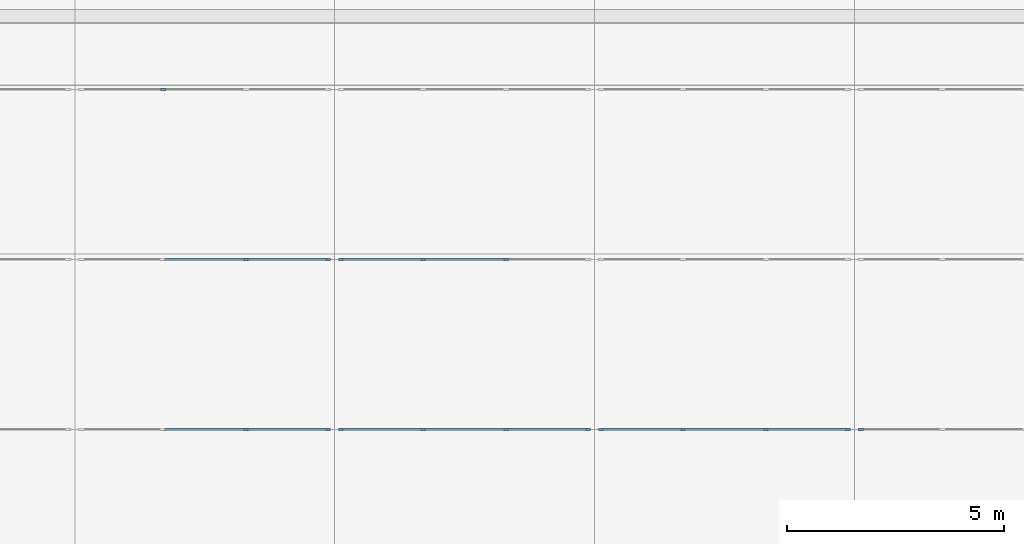
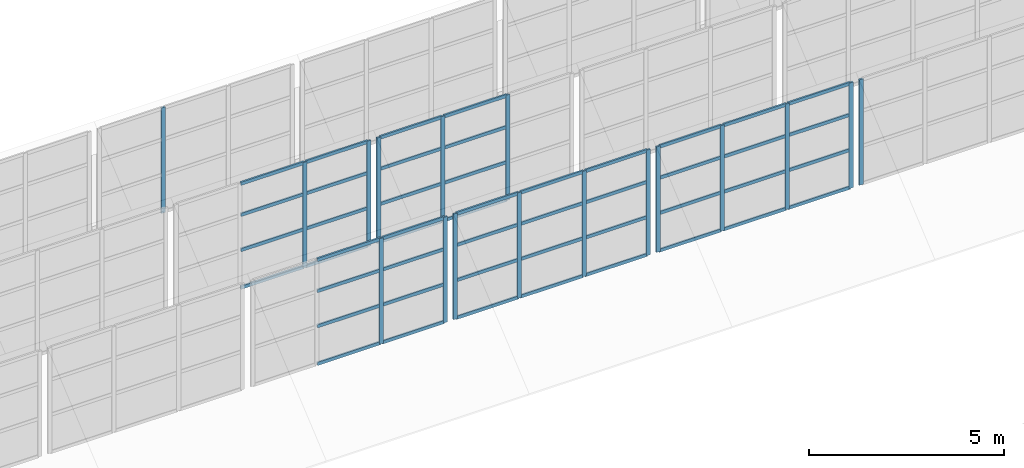
# One storey, part 31 of 122: 65 members, 7 elements without a shape of their own.
"""IFC4 building model written with IfcOpenShell, lengths in metres."""

from ifc_helpers import new_model, si_unit, direction, frame, origin, origin_2d, place, context, subcontext, project, spatial, rectangle, extrude, material, layer, layer_set, material_profile, profile_set, type_object, element, aggregate, save


model = new_model("IFC4")

# Units and contexts
model_context = context("Model", 3, precision=1e-05, world=origin(), true_north=direction((0.0, 1.0)))
body_context = subcontext(model_context, "Body", "Model", "MODEL_VIEW")
ifc_project = project(units=[si_unit("LENGTHUNIT", "METRE"), si_unit("AREAUNIT", "SQUARE_METRE"), si_unit("VOLUMEUNIT", "CUBIC_METRE"), si_unit("PLANEANGLEUNIT", "RADIAN"), si_unit("MASSUNIT", "GRAM", prefix="KILO")], contexts=[model_context])

# Site, building, storey
site_placement = place(None, origin())
site = spatial("IfcSite", under=ifc_project, at=site_placement, CompositionType="ELEMENT")
building_placement = place(site_placement, origin())
building = spatial("IfcBuilding", under=site, at=building_placement, Name="Ridgestep Commons", CompositionType="ELEMENT")
storey_placement = place(building_placement, frame((0.0, 0.0, 3.0)))
storey = spatial("IfcBuildingStorey", under=building, at=storey_placement, Name="L01", CompositionType="ELEMENT", Elevation=3.0)

# Curtain wall, members
ifc_material_1 = material(Name="Aluminium and glass", Category="aluminium")
ifc_layer = layer(ifc_material_1, 0.14990234375)
ifc_layer_set = layer_set([ifc_layer], Name="Shop clerestory curtain wall")
curtain_wall_type = type_object("IfcCurtainWallType", Name="Shop clerestory curtain wall", PredefinedType="NOTDEFINED", material=ifc_layer_set)
curtain_wall_1_placement = place(storey_placement, origin())
curtain_wall_1 = element("IfcCurtainWall", 1, at=curtain_wall_1_placement, inside=storey, type_object=curtain_wall_type, Name="Shop clerestory curtain wall", PredefinedType="NOTDEFINED")
ifc_material_2 = material(Name="Aluminium", Category="aluminium")
ifc_material_profile_1 = material_profile(ifc_material_2, rectangle(XDim=0.050048828125, YDim=0.1201171875, at=origin_2d()), Name="Shop clerestory mullion 50 x 120")
ifc_profile_set_1 = profile_set([ifc_material_profile_1], Name="Aluminium")
member_type_1 = type_object("IfcMemberType", Name="Shop clerestory mullion 50 x 120", PredefinedType="MULLION", material=ifc_profile_set_1)
member_1_placement = place(storey_placement, frame((209.75830078125, 38.050048828125, 1.199951171875), z_axis=(0.0, 0.0, 1.0), x_axis=(0.0, 1.0, 0.0)))
member_1 = element("IfcMember", 2, at=member_1_placement, type_object=member_type_1, Name="CW5 mullion 3", PredefinedType="MULLION", context=body_context, shape_type="SweptSolid", body=[
    extrude(rectangle(XDim=0.050048828125, YDim=0.1201171875, at=origin_2d()), origin(), (0.0, 0.0, 1.0), 3.300048828125),
])
member_2_placement = place(storey_placement, frame((211.64990234375, 38.050048828125, 1.199951171875), z_axis=(0.0, 0.0, 1.0), x_axis=(0.0, 1.0, 0.0)))
member_2 = element("IfcMember", 3, at=member_2_placement, type_object=member_type_1, Name="CW5 mullion 4", PredefinedType="MULLION", context=body_context, shape_type="SweptSolid", body=[
    extrude(rectangle(XDim=0.050048828125, YDim=0.1201171875, at=origin_2d()), origin(), (0.0, 0.0, 1.0), 3.300048828125),
])

curtain_wall_2_placement = place(storey_placement, origin())
curtain_wall_2 = element("IfcCurtainWall", 4, at=curtain_wall_2_placement, inside=storey, type_object=curtain_wall_type, Name="Shop clerestory curtain wall", PredefinedType="NOTDEFINED")
member_3_placement = place(storey_placement, frame((209.75830078125, 41.97509765625, 1.199951171875), z_axis=(0.0, 0.0, 1.0), x_axis=(0.0, 1.0, 0.0)))
member_3 = element("IfcMember", 5, at=member_3_placement, type_object=member_type_1, Name="CW5 mullion 3", PredefinedType="MULLION", context=body_context, shape_type="SweptSolid", body=[
    extrude(rectangle(XDim=0.050048828125, YDim=0.1201171875, at=origin_2d()), origin(), (0.0, 0.0, 1.0), 3.300048828125),
])
member_4_placement = place(storey_placement, frame((211.64990234375, 41.97509765625, 1.199951171875), z_axis=(0.0, 0.0, 1.0), x_axis=(0.0, 1.0, 0.0)))
member_4 = element("IfcMember", 6, at=member_4_placement, type_object=member_type_1, Name="CW5 mullion 4", PredefinedType="MULLION", context=body_context, shape_type="SweptSolid", body=[
    extrude(rectangle(XDim=0.050048828125, YDim=0.1201171875, at=origin_2d()), origin(), (0.0, 0.0, 1.0), 3.300048828125),
])

# Curtain wall, member
curtain_wall_3_placement = place(storey_placement, origin())
curtain_wall_3 = element("IfcCurtainWall", 7, at=curtain_wall_3_placement, inside=storey, type_object=curtain_wall_type, Name="Shop clerestory curtain wall", PredefinedType="NOTDEFINED")
member_5_placement = place(storey_placement, frame((207.841552734375, 45.89990234375, 1.199951171875), z_axis=(0.0, 0.0, 1.0), x_axis=(0.0, 1.0, 0.0)))
member_5 = element("IfcMember", 8, at=member_5_placement, type_object=member_type_1, Name="CW5 mullion 2", PredefinedType="MULLION", context=body_context, shape_type="SweptSolid", body=[
    extrude(rectangle(XDim=0.050048828125, YDim=0.1201171875, at=origin_2d()), origin(), (0.0, 0.0, 1.0), 3.300048828125),
])
aggregate(curtain_wall_3, [member_5])

# Curtain wall, members
curtain_wall_4_placement = place(storey_placement, origin())
curtain_wall_4 = element("IfcCurtainWall", 9, at=curtain_wall_4_placement, inside=storey, type_object=curtain_wall_type, Name="Shop clerestory curtain wall", PredefinedType="NOTDEFINED")
member_6_placement = place(storey_placement, frame((211.949951171875, 38.050048828125, 1.199951171875), z_axis=(0.0, 0.0, 1.0), x_axis=(0.0, 1.0, 0.0)))
member_6 = element("IfcMember", 10, at=member_6_placement, type_object=member_type_1, Name="CW5 mullion 1", PredefinedType="MULLION", context=body_context, shape_type="SweptSolid", body=[
    extrude(rectangle(XDim=0.050048828125, YDim=0.1201171875, at=origin_2d()), origin(), (0.0, 0.0, 1.0), 3.300048828125),
])
member_7_placement = place(storey_placement, frame((213.841552734375, 38.050048828125, 1.199951171875), z_axis=(0.0, 0.0, 1.0), x_axis=(0.0, 1.0, 0.0)))
member_7 = element("IfcMember", 11, at=member_7_placement, type_object=member_type_1, Name="CW5 mullion 2", PredefinedType="MULLION", context=body_context, shape_type="SweptSolid", body=[
    extrude(rectangle(XDim=0.050048828125, YDim=0.1201171875, at=origin_2d()), origin(), (0.0, 0.0, 1.0), 3.300048828125),
])
member_8_placement = place(storey_placement, frame((215.75830078125, 38.050048828125, 1.199951171875), z_axis=(0.0, 0.0, 1.0), x_axis=(0.0, 1.0, 0.0)))
member_8 = element("IfcMember", 12, at=member_8_placement, type_object=member_type_1, Name="CW5 mullion 3", PredefinedType="MULLION", context=body_context, shape_type="SweptSolid", body=[
    extrude(rectangle(XDim=0.050048828125, YDim=0.1201171875, at=origin_2d()), origin(), (0.0, 0.0, 1.0), 3.300048828125),
])
member_9_placement = place(storey_placement, frame((217.64990234375, 38.050048828125, 1.199951171875), z_axis=(0.0, 0.0, 1.0), x_axis=(0.0, 1.0, 0.0)))
member_9 = element("IfcMember", 13, at=member_9_placement, type_object=member_type_1, Name="CW5 mullion 4", PredefinedType="MULLION", context=body_context, shape_type="SweptSolid", body=[
    extrude(rectangle(XDim=0.050048828125, YDim=0.1201171875, at=origin_2d()), origin(), (0.0, 0.0, 1.0), 3.300048828125),
])

curtain_wall_5_placement = place(storey_placement, origin())
curtain_wall_5 = element("IfcCurtainWall", 14, at=curtain_wall_5_placement, inside=storey, type_object=curtain_wall_type, Name="Shop clerestory curtain wall", PredefinedType="NOTDEFINED")
member_10_placement = place(storey_placement, frame((211.949951171875, 41.97509765625, 1.199951171875), z_axis=(0.0, 0.0, 1.0), x_axis=(0.0, 1.0, 0.0)))
member_10 = element("IfcMember", 15, at=member_10_placement, type_object=member_type_1, Name="CW5 mullion 1", PredefinedType="MULLION", context=body_context, shape_type="SweptSolid", body=[
    extrude(rectangle(XDim=0.050048828125, YDim=0.1201171875, at=origin_2d()), origin(), (0.0, 0.0, 1.0), 3.300048828125),
])
member_11_placement = place(storey_placement, frame((213.841552734375, 41.97509765625, 1.199951171875), z_axis=(0.0, 0.0, 1.0), x_axis=(0.0, 1.0, 0.0)))
member_11 = element("IfcMember", 16, at=member_11_placement, type_object=member_type_1, Name="CW5 mullion 2", PredefinedType="MULLION", context=body_context, shape_type="SweptSolid", body=[
    extrude(rectangle(XDim=0.050048828125, YDim=0.1201171875, at=origin_2d()), origin(), (0.0, 0.0, 1.0), 3.300048828125),
])
member_12_placement = place(storey_placement, frame((215.75830078125, 41.97509765625, 1.199951171875), z_axis=(0.0, 0.0, 1.0), x_axis=(0.0, 1.0, 0.0)))
member_12 = element("IfcMember", 17, at=member_12_placement, type_object=member_type_1, Name="CW5 mullion 3", PredefinedType="MULLION", context=body_context, shape_type="SweptSolid", body=[
    extrude(rectangle(XDim=0.050048828125, YDim=0.1201171875, at=origin_2d()), origin(), (0.0, 0.0, 1.0), 3.300048828125),
])

curtain_wall_6_placement = place(storey_placement, origin())
curtain_wall_6 = element("IfcCurtainWall", 18, at=curtain_wall_6_placement, inside=storey, type_object=curtain_wall_type, Name="Shop clerestory curtain wall", PredefinedType="NOTDEFINED")
member_13_placement = place(storey_placement, frame((217.949951171875, 38.050048828125, 1.199951171875), z_axis=(0.0, 0.0, 1.0), x_axis=(0.0, 1.0, 0.0)))
member_13 = element("IfcMember", 19, at=member_13_placement, type_object=member_type_1, Name="CW5 mullion 1", PredefinedType="MULLION", context=body_context, shape_type="SweptSolid", body=[
    extrude(rectangle(XDim=0.050048828125, YDim=0.1201171875, at=origin_2d()), origin(), (0.0, 0.0, 1.0), 3.300048828125),
])
member_14_placement = place(storey_placement, frame((219.841552734375, 38.050048828125, 1.199951171875), z_axis=(0.0, 0.0, 1.0), x_axis=(0.0, 1.0, 0.0)))
member_14 = element("IfcMember", 20, at=member_14_placement, type_object=member_type_1, Name="CW5 mullion 2", PredefinedType="MULLION", context=body_context, shape_type="SweptSolid", body=[
    extrude(rectangle(XDim=0.050048828125, YDim=0.1201171875, at=origin_2d()), origin(), (0.0, 0.0, 1.0), 3.300048828125),
])
member_15_placement = place(storey_placement, frame((221.75830078125, 38.050048828125, 1.199951171875), z_axis=(0.0, 0.0, 1.0), x_axis=(0.0, 1.0, 0.0)))
member_15 = element("IfcMember", 21, at=member_15_placement, type_object=member_type_1, Name="CW5 mullion 3", PredefinedType="MULLION", context=body_context, shape_type="SweptSolid", body=[
    extrude(rectangle(XDim=0.050048828125, YDim=0.1201171875, at=origin_2d()), origin(), (0.0, 0.0, 1.0), 3.300048828125),
])
member_16_placement = place(storey_placement, frame((223.64990234375, 38.050048828125, 1.199951171875), z_axis=(0.0, 0.0, 1.0), x_axis=(0.0, 1.0, 0.0)))
member_16 = element("IfcMember", 22, at=member_16_placement, type_object=member_type_1, Name="CW5 mullion 4", PredefinedType="MULLION", context=body_context, shape_type="SweptSolid", body=[
    extrude(rectangle(XDim=0.050048828125, YDim=0.1201171875, at=origin_2d()), origin(), (0.0, 0.0, 1.0), 3.300048828125),
])

# Curtain wall, member
curtain_wall_7_placement = place(storey_placement, origin())
curtain_wall_7 = element("IfcCurtainWall", 23, at=curtain_wall_7_placement, inside=storey, type_object=curtain_wall_type, Name="Shop clerestory curtain wall", PredefinedType="NOTDEFINED")
member_17_placement = place(storey_placement, frame((223.949951171875, 38.050048828125, 1.199951171875), z_axis=(0.0, 0.0, 1.0), x_axis=(0.0, 1.0, 0.0)))
member_17 = element("IfcMember", 24, at=member_17_placement, type_object=member_type_1, Name="CW5 mullion 1", PredefinedType="MULLION", context=body_context, shape_type="SweptSolid", body=[
    extrude(rectangle(XDim=0.050048828125, YDim=0.1201171875, at=origin_2d()), origin(), (0.0, 0.0, 1.0), 3.300048828125),
])
aggregate(curtain_wall_7, [member_17])

# Member
ifc_material_3 = material(Name="Aluminium", Category="aluminium")
ifc_material_profile_2 = material_profile(ifc_material_3, rectangle(XDim=0.050048828125, YDim=0.10009765625, at=origin_2d()), Name="Shop clerestory transom 50 x 100")
ifc_profile_set_2 = profile_set([ifc_material_profile_2], Name="Aluminium")
member_type_2 = type_object("IfcMemberType", Name="Shop clerestory transom 50 x 100", PredefinedType="USERDEFINED", material=ifc_profile_set_2)
member_18_placement = place(storey_placement, frame((207.86669921875, 38.050048828125, 1.22509765625), z_axis=(1.0, 0.0, 0.0), x_axis=(0.0, 1.0, 0.0)))
member_18 = element("IfcMember", 25, at=member_18_placement, type_object=member_type_2, Name="CW5 transom 2.1", ObjectType="TRANSOM", PredefinedType="USERDEFINED", context=body_context, shape_type="SweptSolid", body=[
    extrude(rectangle(XDim=0.050048828125, YDim=0.10009765625, at=origin_2d()), origin(), (0.0, 0.0, 1.0), 1.86669921875),
])

member_19_placement = place(storey_placement, frame((207.86669921875, 38.050048828125, 2.39990234375), z_axis=(1.0, 0.0, 0.0), x_axis=(0.0, 1.0, 0.0)))
member_19 = element("IfcMember", 26, at=member_19_placement, type_object=member_type_2, Name="CW5 transom 2.2", ObjectType="TRANSOM", PredefinedType="USERDEFINED", context=body_context, shape_type="SweptSolid", body=[
    extrude(rectangle(XDim=0.050048828125, YDim=0.10009765625, at=origin_2d()), origin(), (0.0, 0.0, 1.0), 1.86669921875),
])

member_20_placement = place(storey_placement, frame((207.86669921875, 38.050048828125, 3.5), z_axis=(1.0, 0.0, 0.0), x_axis=(0.0, 1.0, 0.0)))
member_20 = element("IfcMember", 27, at=member_20_placement, type_object=member_type_2, Name="CW5 transom 2.3", ObjectType="TRANSOM", PredefinedType="USERDEFINED", context=body_context, shape_type="SweptSolid", body=[
    extrude(rectangle(XDim=0.050048828125, YDim=0.10009765625, at=origin_2d()), origin(), (0.0, 0.0, 1.0), 1.86669921875),
])

member_21_placement = place(storey_placement, frame((207.86669921875, 38.050048828125, 4.47509765625), z_axis=(1.0, 0.0, 0.0), x_axis=(0.0, 1.0, 0.0)))
member_21 = element("IfcMember", 28, at=member_21_placement, type_object=member_type_2, Name="CW5 transom 2.4", ObjectType="TRANSOM", PredefinedType="USERDEFINED", context=body_context, shape_type="SweptSolid", body=[
    extrude(rectangle(XDim=0.050048828125, YDim=0.10009765625, at=origin_2d()), origin(), (0.0, 0.0, 1.0), 1.86669921875),
])

member_22_placement = place(storey_placement, frame((209.783447265625, 38.050048828125, 1.22509765625), z_axis=(1.0, 0.0, 0.0), x_axis=(0.0, 1.0, 0.0)))
member_22 = element("IfcMember", 29, at=member_22_placement, type_object=member_type_2, Name="CW5 transom 3.1", ObjectType="TRANSOM", PredefinedType="USERDEFINED", context=body_context, shape_type="SweptSolid", body=[
    extrude(rectangle(XDim=0.050048828125, YDim=0.10009765625, at=origin_2d()), origin(), (0.0, 0.0, 1.0), 1.841552734375),
])

member_23_placement = place(storey_placement, frame((209.783447265625, 38.050048828125, 2.39990234375), z_axis=(1.0, 0.0, 0.0), x_axis=(0.0, 1.0, 0.0)))
member_23 = element("IfcMember", 30, at=member_23_placement, type_object=member_type_2, Name="CW5 transom 3.2", ObjectType="TRANSOM", PredefinedType="USERDEFINED", context=body_context, shape_type="SweptSolid", body=[
    extrude(rectangle(XDim=0.050048828125, YDim=0.10009765625, at=origin_2d()), origin(), (0.0, 0.0, 1.0), 1.841552734375),
])

member_24_placement = place(storey_placement, frame((209.783447265625, 38.050048828125, 3.5), z_axis=(1.0, 0.0, 0.0), x_axis=(0.0, 1.0, 0.0)))
member_24 = element("IfcMember", 31, at=member_24_placement, type_object=member_type_2, Name="CW5 transom 3.3", ObjectType="TRANSOM", PredefinedType="USERDEFINED", context=body_context, shape_type="SweptSolid", body=[
    extrude(rectangle(XDim=0.050048828125, YDim=0.10009765625, at=origin_2d()), origin(), (0.0, 0.0, 1.0), 1.841552734375),
])

member_25_placement = place(storey_placement, frame((209.783447265625, 38.050048828125, 4.47509765625), z_axis=(1.0, 0.0, 0.0), x_axis=(0.0, 1.0, 0.0)))
member_25 = element("IfcMember", 32, at=member_25_placement, type_object=member_type_2, Name="CW5 transom 3.4", ObjectType="TRANSOM", PredefinedType="USERDEFINED", context=body_context, shape_type="SweptSolid", body=[
    extrude(rectangle(XDim=0.050048828125, YDim=0.10009765625, at=origin_2d()), origin(), (0.0, 0.0, 1.0), 1.841552734375),
])

aggregate(curtain_wall_1, [member_1, member_2, member_18, member_19, member_20, member_21, member_22, member_23, member_24, member_25])

member_26_placement = place(storey_placement, frame((207.86669921875, 41.97509765625, 1.22509765625), z_axis=(1.0, 0.0, 0.0), x_axis=(0.0, 1.0, 0.0)))
member_26 = element("IfcMember", 33, at=member_26_placement, type_object=member_type_2, Name="CW5 transom 2.1", ObjectType="TRANSOM", PredefinedType="USERDEFINED", context=body_context, shape_type="SweptSolid", body=[
    extrude(rectangle(XDim=0.050048828125, YDim=0.10009765625, at=origin_2d()), origin(), (0.0, 0.0, 1.0), 1.86669921875),
])

member_27_placement = place(storey_placement, frame((207.86669921875, 41.97509765625, 2.39990234375), z_axis=(1.0, 0.0, 0.0), x_axis=(0.0, 1.0, 0.0)))
member_27 = element("IfcMember", 34, at=member_27_placement, type_object=member_type_2, Name="CW5 transom 2.2", ObjectType="TRANSOM", PredefinedType="USERDEFINED", context=body_context, shape_type="SweptSolid", body=[
    extrude(rectangle(XDim=0.050048828125, YDim=0.10009765625, at=origin_2d()), origin(), (0.0, 0.0, 1.0), 1.86669921875),
])

member_28_placement = place(storey_placement, frame((207.86669921875, 41.97509765625, 3.5), z_axis=(1.0, 0.0, 0.0), x_axis=(0.0, 1.0, 0.0)))
member_28 = element("IfcMember", 35, at=member_28_placement, type_object=member_type_2, Name="CW5 transom 2.3", ObjectType="TRANSOM", PredefinedType="USERDEFINED", context=body_context, shape_type="SweptSolid", body=[
    extrude(rectangle(XDim=0.050048828125, YDim=0.10009765625, at=origin_2d()), origin(), (0.0, 0.0, 1.0), 1.86669921875),
])

member_29_placement = place(storey_placement, frame((207.86669921875, 41.97509765625, 4.47509765625), z_axis=(1.0, 0.0, 0.0), x_axis=(0.0, 1.0, 0.0)))
member_29 = element("IfcMember", 36, at=member_29_placement, type_object=member_type_2, Name="CW5 transom 2.4", ObjectType="TRANSOM", PredefinedType="USERDEFINED", context=body_context, shape_type="SweptSolid", body=[
    extrude(rectangle(XDim=0.050048828125, YDim=0.10009765625, at=origin_2d()), origin(), (0.0, 0.0, 1.0), 1.86669921875),
])

member_30_placement = place(storey_placement, frame((209.783447265625, 41.97509765625, 1.22509765625), z_axis=(1.0, 0.0, 0.0), x_axis=(0.0, 1.0, 0.0)))
member_30 = element("IfcMember", 37, at=member_30_placement, type_object=member_type_2, Name="CW5 transom 3.1", ObjectType="TRANSOM", PredefinedType="USERDEFINED", context=body_context, shape_type="SweptSolid", body=[
    extrude(rectangle(XDim=0.050048828125, YDim=0.10009765625, at=origin_2d()), origin(), (0.0, 0.0, 1.0), 1.841552734375),
])

member_31_placement = place(storey_placement, frame((209.783447265625, 41.97509765625, 2.39990234375), z_axis=(1.0, 0.0, 0.0), x_axis=(0.0, 1.0, 0.0)))
member_31 = element("IfcMember", 38, at=member_31_placement, type_object=member_type_2, Name="CW5 transom 3.2", ObjectType="TRANSOM", PredefinedType="USERDEFINED", context=body_context, shape_type="SweptSolid", body=[
    extrude(rectangle(XDim=0.050048828125, YDim=0.10009765625, at=origin_2d()), origin(), (0.0, 0.0, 1.0), 1.841552734375),
])

member_32_placement = place(storey_placement, frame((209.783447265625, 41.97509765625, 3.5), z_axis=(1.0, 0.0, 0.0), x_axis=(0.0, 1.0, 0.0)))
member_32 = element("IfcMember", 39, at=member_32_placement, type_object=member_type_2, Name="CW5 transom 3.3", ObjectType="TRANSOM", PredefinedType="USERDEFINED", context=body_context, shape_type="SweptSolid", body=[
    extrude(rectangle(XDim=0.050048828125, YDim=0.10009765625, at=origin_2d()), origin(), (0.0, 0.0, 1.0), 1.841552734375),
])

member_33_placement = place(storey_placement, frame((209.783447265625, 41.97509765625, 4.47509765625), z_axis=(1.0, 0.0, 0.0), x_axis=(0.0, 1.0, 0.0)))
member_33 = element("IfcMember", 40, at=member_33_placement, type_object=member_type_2, Name="CW5 transom 3.4", ObjectType="TRANSOM", PredefinedType="USERDEFINED", context=body_context, shape_type="SweptSolid", body=[
    extrude(rectangle(XDim=0.050048828125, YDim=0.10009765625, at=origin_2d()), origin(), (0.0, 0.0, 1.0), 1.841552734375),
])

aggregate(curtain_wall_2, [member_3, member_4, member_26, member_27, member_28, member_29, member_30, member_31, member_32, member_33])

member_34_placement = place(storey_placement, frame((211.97509765625, 38.050048828125, 1.22509765625), z_axis=(1.0, 0.0, 0.0), x_axis=(0.0, 1.0, 0.0)))
member_34 = element("IfcMember", 41, at=member_34_placement, type_object=member_type_2, Name="CW5 transom 1.1", ObjectType="TRANSOM", PredefinedType="USERDEFINED", context=body_context, shape_type="SweptSolid", body=[
    extrude(rectangle(XDim=0.050048828125, YDim=0.10009765625, at=origin_2d()), origin(), (0.0, 0.0, 1.0), 1.841552734375),
])

member_35_placement = place(storey_placement, frame((211.97509765625, 38.050048828125, 2.39990234375), z_axis=(1.0, 0.0, 0.0), x_axis=(0.0, 1.0, 0.0)))
member_35 = element("IfcMember", 42, at=member_35_placement, type_object=member_type_2, Name="CW5 transom 1.2", ObjectType="TRANSOM", PredefinedType="USERDEFINED", context=body_context, shape_type="SweptSolid", body=[
    extrude(rectangle(XDim=0.050048828125, YDim=0.10009765625, at=origin_2d()), origin(), (0.0, 0.0, 1.0), 1.841552734375),
])

member_36_placement = place(storey_placement, frame((211.97509765625, 38.050048828125, 3.5), z_axis=(1.0, 0.0, 0.0), x_axis=(0.0, 1.0, 0.0)))
member_36 = element("IfcMember", 43, at=member_36_placement, type_object=member_type_2, Name="CW5 transom 1.3", ObjectType="TRANSOM", PredefinedType="USERDEFINED", context=body_context, shape_type="SweptSolid", body=[
    extrude(rectangle(XDim=0.050048828125, YDim=0.10009765625, at=origin_2d()), origin(), (0.0, 0.0, 1.0), 1.841552734375),
])

member_37_placement = place(storey_placement, frame((211.97509765625, 38.050048828125, 4.47509765625), z_axis=(1.0, 0.0, 0.0), x_axis=(0.0, 1.0, 0.0)))
member_37 = element("IfcMember", 44, at=member_37_placement, type_object=member_type_2, Name="CW5 transom 1.4", ObjectType="TRANSOM", PredefinedType="USERDEFINED", context=body_context, shape_type="SweptSolid", body=[
    extrude(rectangle(XDim=0.050048828125, YDim=0.10009765625, at=origin_2d()), origin(), (0.0, 0.0, 1.0), 1.841552734375),
])

member_38_placement = place(storey_placement, frame((213.86669921875, 38.050048828125, 1.22509765625), z_axis=(1.0, 0.0, 0.0), x_axis=(0.0, 1.0, 0.0)))
member_38 = element("IfcMember", 45, at=member_38_placement, type_object=member_type_2, Name="CW5 transom 2.1", ObjectType="TRANSOM", PredefinedType="USERDEFINED", context=body_context, shape_type="SweptSolid", body=[
    extrude(rectangle(XDim=0.050048828125, YDim=0.10009765625, at=origin_2d()), origin(), (0.0, 0.0, 1.0), 1.86669921875),
])

member_39_placement = place(storey_placement, frame((213.86669921875, 38.050048828125, 2.39990234375), z_axis=(1.0, 0.0, 0.0), x_axis=(0.0, 1.0, 0.0)))
member_39 = element("IfcMember", 46, at=member_39_placement, type_object=member_type_2, Name="CW5 transom 2.2", ObjectType="TRANSOM", PredefinedType="USERDEFINED", context=body_context, shape_type="SweptSolid", body=[
    extrude(rectangle(XDim=0.050048828125, YDim=0.10009765625, at=origin_2d()), origin(), (0.0, 0.0, 1.0), 1.86669921875),
])

member_40_placement = place(storey_placement, frame((213.86669921875, 38.050048828125, 3.5), z_axis=(1.0, 0.0, 0.0), x_axis=(0.0, 1.0, 0.0)))
member_40 = element("IfcMember", 47, at=member_40_placement, type_object=member_type_2, Name="CW5 transom 2.3", ObjectType="TRANSOM", PredefinedType="USERDEFINED", context=body_context, shape_type="SweptSolid", body=[
    extrude(rectangle(XDim=0.050048828125, YDim=0.10009765625, at=origin_2d()), origin(), (0.0, 0.0, 1.0), 1.86669921875),
])

member_41_placement = place(storey_placement, frame((213.86669921875, 38.050048828125, 4.47509765625), z_axis=(1.0, 0.0, 0.0), x_axis=(0.0, 1.0, 0.0)))
member_41 = element("IfcMember", 48, at=member_41_placement, type_object=member_type_2, Name="CW5 transom 2.4", ObjectType="TRANSOM", PredefinedType="USERDEFINED", context=body_context, shape_type="SweptSolid", body=[
    extrude(rectangle(XDim=0.050048828125, YDim=0.10009765625, at=origin_2d()), origin(), (0.0, 0.0, 1.0), 1.86669921875),
])

member_42_placement = place(storey_placement, frame((215.783447265625, 38.050048828125, 1.22509765625), z_axis=(1.0, 0.0, 0.0), x_axis=(0.0, 1.0, 0.0)))
member_42 = element("IfcMember", 49, at=member_42_placement, type_object=member_type_2, Name="CW5 transom 3.1", ObjectType="TRANSOM", PredefinedType="USERDEFINED", context=body_context, shape_type="SweptSolid", body=[
    extrude(rectangle(XDim=0.050048828125, YDim=0.10009765625, at=origin_2d()), origin(), (0.0, 0.0, 1.0), 1.841552734375),
])

member_43_placement = place(storey_placement, frame((215.783447265625, 38.050048828125, 2.39990234375), z_axis=(1.0, 0.0, 0.0), x_axis=(0.0, 1.0, 0.0)))
member_43 = element("IfcMember", 50, at=member_43_placement, type_object=member_type_2, Name="CW5 transom 3.2", ObjectType="TRANSOM", PredefinedType="USERDEFINED", context=body_context, shape_type="SweptSolid", body=[
    extrude(rectangle(XDim=0.050048828125, YDim=0.10009765625, at=origin_2d()), origin(), (0.0, 0.0, 1.0), 1.841552734375),
])

member_44_placement = place(storey_placement, frame((215.783447265625, 38.050048828125, 3.5), z_axis=(1.0, 0.0, 0.0), x_axis=(0.0, 1.0, 0.0)))
member_44 = element("IfcMember", 51, at=member_44_placement, type_object=member_type_2, Name="CW5 transom 3.3", ObjectType="TRANSOM", PredefinedType="USERDEFINED", context=body_context, shape_type="SweptSolid", body=[
    extrude(rectangle(XDim=0.050048828125, YDim=0.10009765625, at=origin_2d()), origin(), (0.0, 0.0, 1.0), 1.841552734375),
])

member_45_placement = place(storey_placement, frame((215.783447265625, 38.050048828125, 4.47509765625), z_axis=(1.0, 0.0, 0.0), x_axis=(0.0, 1.0, 0.0)))
member_45 = element("IfcMember", 52, at=member_45_placement, type_object=member_type_2, Name="CW5 transom 3.4", ObjectType="TRANSOM", PredefinedType="USERDEFINED", context=body_context, shape_type="SweptSolid", body=[
    extrude(rectangle(XDim=0.050048828125, YDim=0.10009765625, at=origin_2d()), origin(), (0.0, 0.0, 1.0), 1.841552734375),
])

aggregate(curtain_wall_4, [member_6, member_7, member_8, member_9, member_34, member_35, member_36, member_37, member_38, member_39, member_40, member_41, member_42, member_43, member_44, member_45])

member_46_placement = place(storey_placement, frame((211.97509765625, 41.97509765625, 1.22509765625), z_axis=(1.0, 0.0, 0.0), x_axis=(0.0, 1.0, 0.0)))
member_46 = element("IfcMember", 53, at=member_46_placement, type_object=member_type_2, Name="CW5 transom 1.1", ObjectType="TRANSOM", PredefinedType="USERDEFINED", context=body_context, shape_type="SweptSolid", body=[
    extrude(rectangle(XDim=0.050048828125, YDim=0.10009765625, at=origin_2d()), origin(), (0.0, 0.0, 1.0), 1.841552734375),
])

member_47_placement = place(storey_placement, frame((211.97509765625, 41.97509765625, 2.39990234375), z_axis=(1.0, 0.0, 0.0), x_axis=(0.0, 1.0, 0.0)))
member_47 = element("IfcMember", 54, at=member_47_placement, type_object=member_type_2, Name="CW5 transom 1.2", ObjectType="TRANSOM", PredefinedType="USERDEFINED", context=body_context, shape_type="SweptSolid", body=[
    extrude(rectangle(XDim=0.050048828125, YDim=0.10009765625, at=origin_2d()), origin(), (0.0, 0.0, 1.0), 1.841552734375),
])

member_48_placement = place(storey_placement, frame((211.97509765625, 41.97509765625, 3.5), z_axis=(1.0, 0.0, 0.0), x_axis=(0.0, 1.0, 0.0)))
member_48 = element("IfcMember", 55, at=member_48_placement, type_object=member_type_2, Name="CW5 transom 1.3", ObjectType="TRANSOM", PredefinedType="USERDEFINED", context=body_context, shape_type="SweptSolid", body=[
    extrude(rectangle(XDim=0.050048828125, YDim=0.10009765625, at=origin_2d()), origin(), (0.0, 0.0, 1.0), 1.841552734375),
])

member_49_placement = place(storey_placement, frame((211.97509765625, 41.97509765625, 4.47509765625), z_axis=(1.0, 0.0, 0.0), x_axis=(0.0, 1.0, 0.0)))
member_49 = element("IfcMember", 56, at=member_49_placement, type_object=member_type_2, Name="CW5 transom 1.4", ObjectType="TRANSOM", PredefinedType="USERDEFINED", context=body_context, shape_type="SweptSolid", body=[
    extrude(rectangle(XDim=0.050048828125, YDim=0.10009765625, at=origin_2d()), origin(), (0.0, 0.0, 1.0), 1.841552734375),
])

member_50_placement = place(storey_placement, frame((213.86669921875, 41.97509765625, 1.22509765625), z_axis=(1.0, 0.0, 0.0), x_axis=(0.0, 1.0, 0.0)))
member_50 = element("IfcMember", 57, at=member_50_placement, type_object=member_type_2, Name="CW5 transom 2.1", ObjectType="TRANSOM", PredefinedType="USERDEFINED", context=body_context, shape_type="SweptSolid", body=[
    extrude(rectangle(XDim=0.050048828125, YDim=0.10009765625, at=origin_2d()), origin(), (0.0, 0.0, 1.0), 1.86669921875),
])

member_51_placement = place(storey_placement, frame((213.86669921875, 41.97509765625, 2.39990234375), z_axis=(1.0, 0.0, 0.0), x_axis=(0.0, 1.0, 0.0)))
member_51 = element("IfcMember", 58, at=member_51_placement, type_object=member_type_2, Name="CW5 transom 2.2", ObjectType="TRANSOM", PredefinedType="USERDEFINED", context=body_context, shape_type="SweptSolid", body=[
    extrude(rectangle(XDim=0.050048828125, YDim=0.10009765625, at=origin_2d()), origin(), (0.0, 0.0, 1.0), 1.86669921875),
])

member_52_placement = place(storey_placement, frame((213.86669921875, 41.97509765625, 3.5), z_axis=(1.0, 0.0, 0.0), x_axis=(0.0, 1.0, 0.0)))
member_52 = element("IfcMember", 59, at=member_52_placement, type_object=member_type_2, Name="CW5 transom 2.3", ObjectType="TRANSOM", PredefinedType="USERDEFINED", context=body_context, shape_type="SweptSolid", body=[
    extrude(rectangle(XDim=0.050048828125, YDim=0.10009765625, at=origin_2d()), origin(), (0.0, 0.0, 1.0), 1.86669921875),
])

member_53_placement = place(storey_placement, frame((213.86669921875, 41.97509765625, 4.47509765625), z_axis=(1.0, 0.0, 0.0), x_axis=(0.0, 1.0, 0.0)))
member_53 = element("IfcMember", 60, at=member_53_placement, type_object=member_type_2, Name="CW5 transom 2.4", ObjectType="TRANSOM", PredefinedType="USERDEFINED", context=body_context, shape_type="SweptSolid", body=[
    extrude(rectangle(XDim=0.050048828125, YDim=0.10009765625, at=origin_2d()), origin(), (0.0, 0.0, 1.0), 1.86669921875),
])

aggregate(curtain_wall_5, [member_10, member_11, member_12, member_46, member_47, member_48, member_49, member_50, member_51, member_52, member_53])

member_54_placement = place(storey_placement, frame((217.97509765625, 38.050048828125, 1.22509765625), z_axis=(1.0, 0.0, 0.0), x_axis=(0.0, 1.0, 0.0)))
member_54 = element("IfcMember", 61, at=member_54_placement, type_object=member_type_2, Name="CW5 transom 1.1", ObjectType="TRANSOM", PredefinedType="USERDEFINED", context=body_context, shape_type="SweptSolid", body=[
    extrude(rectangle(XDim=0.050048828125, YDim=0.10009765625, at=origin_2d()), origin(), (0.0, 0.0, 1.0), 1.841552734375),
])

member_55_placement = place(storey_placement, frame((217.97509765625, 38.050048828125, 2.39990234375), z_axis=(1.0, 0.0, 0.0), x_axis=(0.0, 1.0, 0.0)))
member_55 = element("IfcMember", 62, at=member_55_placement, type_object=member_type_2, Name="CW5 transom 1.2", ObjectType="TRANSOM", PredefinedType="USERDEFINED", context=body_context, shape_type="SweptSolid", body=[
    extrude(rectangle(XDim=0.050048828125, YDim=0.10009765625, at=origin_2d()), origin(), (0.0, 0.0, 1.0), 1.841552734375),
])

member_56_placement = place(storey_placement, frame((217.97509765625, 38.050048828125, 3.5), z_axis=(1.0, 0.0, 0.0), x_axis=(0.0, 1.0, 0.0)))
member_56 = element("IfcMember", 63, at=member_56_placement, type_object=member_type_2, Name="CW5 transom 1.3", ObjectType="TRANSOM", PredefinedType="USERDEFINED", context=body_context, shape_type="SweptSolid", body=[
    extrude(rectangle(XDim=0.050048828125, YDim=0.10009765625, at=origin_2d()), origin(), (0.0, 0.0, 1.0), 1.841552734375),
])

member_57_placement = place(storey_placement, frame((217.97509765625, 38.050048828125, 4.47509765625), z_axis=(1.0, 0.0, 0.0), x_axis=(0.0, 1.0, 0.0)))
member_57 = element("IfcMember", 64, at=member_57_placement, type_object=member_type_2, Name="CW5 transom 1.4", ObjectType="TRANSOM", PredefinedType="USERDEFINED", context=body_context, shape_type="SweptSolid", body=[
    extrude(rectangle(XDim=0.050048828125, YDim=0.10009765625, at=origin_2d()), origin(), (0.0, 0.0, 1.0), 1.841552734375),
])

member_58_placement = place(storey_placement, frame((219.86669921875, 38.050048828125, 1.22509765625), z_axis=(1.0, 0.0, 0.0), x_axis=(0.0, 1.0, 0.0)))
member_58 = element("IfcMember", 65, at=member_58_placement, type_object=member_type_2, Name="CW5 transom 2.1", ObjectType="TRANSOM", PredefinedType="USERDEFINED", context=body_context, shape_type="SweptSolid", body=[
    extrude(rectangle(XDim=0.050048828125, YDim=0.10009765625, at=origin_2d()), origin(), (0.0, 0.0, 1.0), 1.86669921875),
])

member_59_placement = place(storey_placement, frame((219.86669921875, 38.050048828125, 2.39990234375), z_axis=(1.0, 0.0, 0.0), x_axis=(0.0, 1.0, 0.0)))
member_59 = element("IfcMember", 66, at=member_59_placement, type_object=member_type_2, Name="CW5 transom 2.2", ObjectType="TRANSOM", PredefinedType="USERDEFINED", context=body_context, shape_type="SweptSolid", body=[
    extrude(rectangle(XDim=0.050048828125, YDim=0.10009765625, at=origin_2d()), origin(), (0.0, 0.0, 1.0), 1.86669921875),
])

member_60_placement = place(storey_placement, frame((219.86669921875, 38.050048828125, 3.5), z_axis=(1.0, 0.0, 0.0), x_axis=(0.0, 1.0, 0.0)))
member_60 = element("IfcMember", 67, at=member_60_placement, type_object=member_type_2, Name="CW5 transom 2.3", ObjectType="TRANSOM", PredefinedType="USERDEFINED", context=body_context, shape_type="SweptSolid", body=[
    extrude(rectangle(XDim=0.050048828125, YDim=0.10009765625, at=origin_2d()), origin(), (0.0, 0.0, 1.0), 1.86669921875),
])

member_61_placement = place(storey_placement, frame((219.86669921875, 38.050048828125, 4.47509765625), z_axis=(1.0, 0.0, 0.0), x_axis=(0.0, 1.0, 0.0)))
member_61 = element("IfcMember", 68, at=member_61_placement, type_object=member_type_2, Name="CW5 transom 2.4", ObjectType="TRANSOM", PredefinedType="USERDEFINED", context=body_context, shape_type="SweptSolid", body=[
    extrude(rectangle(XDim=0.050048828125, YDim=0.10009765625, at=origin_2d()), origin(), (0.0, 0.0, 1.0), 1.86669921875),
])

member_62_placement = place(storey_placement, frame((221.783447265625, 38.050048828125, 1.22509765625), z_axis=(1.0, 0.0, 0.0), x_axis=(0.0, 1.0, 0.0)))
member_62 = element("IfcMember", 69, at=member_62_placement, type_object=member_type_2, Name="CW5 transom 3.1", ObjectType="TRANSOM", PredefinedType="USERDEFINED", context=body_context, shape_type="SweptSolid", body=[
    extrude(rectangle(XDim=0.050048828125, YDim=0.10009765625, at=origin_2d()), origin(), (0.0, 0.0, 1.0), 1.841552734375),
])

member_63_placement = place(storey_placement, frame((221.783447265625, 38.050048828125, 2.39990234375), z_axis=(1.0, 0.0, 0.0), x_axis=(0.0, 1.0, 0.0)))
member_63 = element("IfcMember", 70, at=member_63_placement, type_object=member_type_2, Name="CW5 transom 3.2", ObjectType="TRANSOM", PredefinedType="USERDEFINED", context=body_context, shape_type="SweptSolid", body=[
    extrude(rectangle(XDim=0.050048828125, YDim=0.10009765625, at=origin_2d()), origin(), (0.0, 0.0, 1.0), 1.841552734375),
])

member_64_placement = place(storey_placement, frame((221.783447265625, 38.050048828125, 3.5), z_axis=(1.0, 0.0, 0.0), x_axis=(0.0, 1.0, 0.0)))
member_64 = element("IfcMember", 71, at=member_64_placement, type_object=member_type_2, Name="CW5 transom 3.3", ObjectType="TRANSOM", PredefinedType="USERDEFINED", context=body_context, shape_type="SweptSolid", body=[
    extrude(rectangle(XDim=0.050048828125, YDim=0.10009765625, at=origin_2d()), origin(), (0.0, 0.0, 1.0), 1.841552734375),
])

member_65_placement = place(storey_placement, frame((221.783447265625, 38.050048828125, 4.47509765625), z_axis=(1.0, 0.0, 0.0), x_axis=(0.0, 1.0, 0.0)))
member_65 = element("IfcMember", 72, at=member_65_placement, type_object=member_type_2, Name="CW5 transom 3.4", ObjectType="TRANSOM", PredefinedType="USERDEFINED", context=body_context, shape_type="SweptSolid", body=[
    extrude(rectangle(XDim=0.050048828125, YDim=0.10009765625, at=origin_2d()), origin(), (0.0, 0.0, 1.0), 1.841552734375),
])

aggregate(curtain_wall_6, [member_13, member_14, member_15, member_16, member_54, member_55, member_56, member_57, member_58, member_59, member_60, member_61, member_62, member_63, member_64, member_65])

save(model, "model.ifc")
